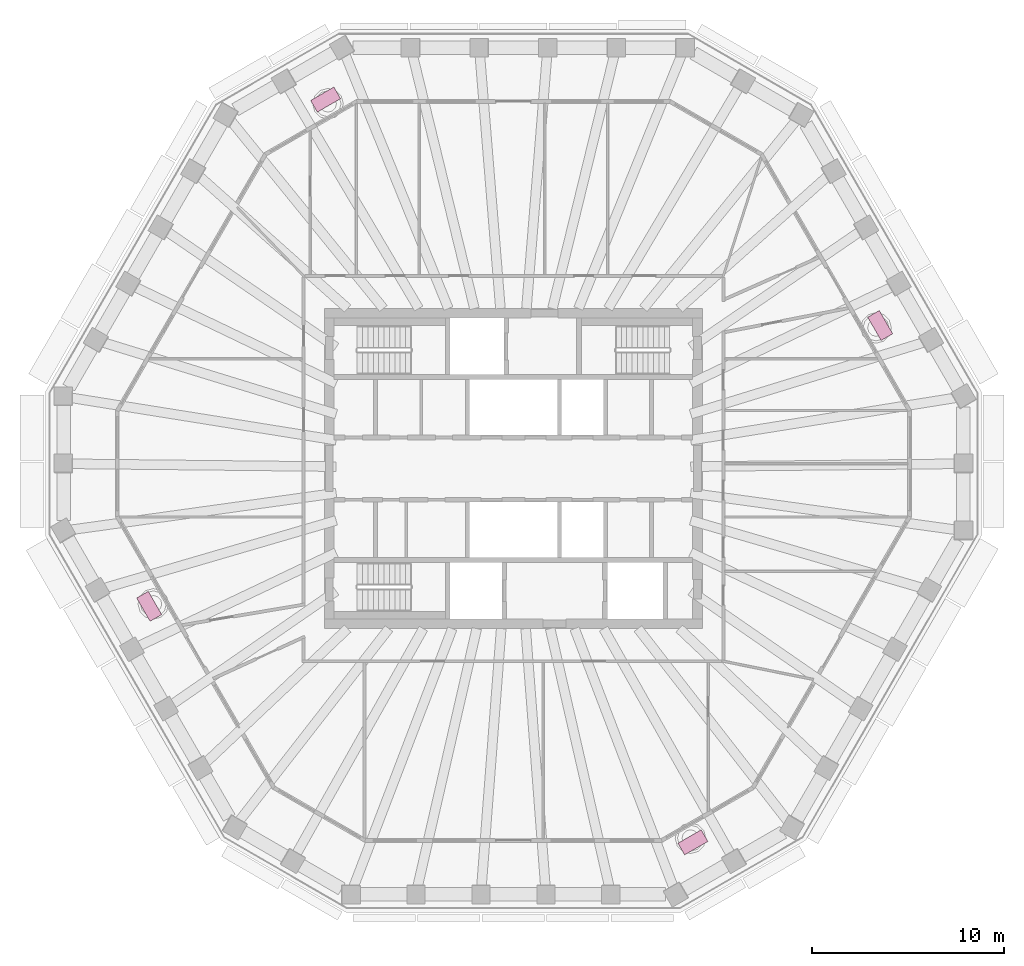
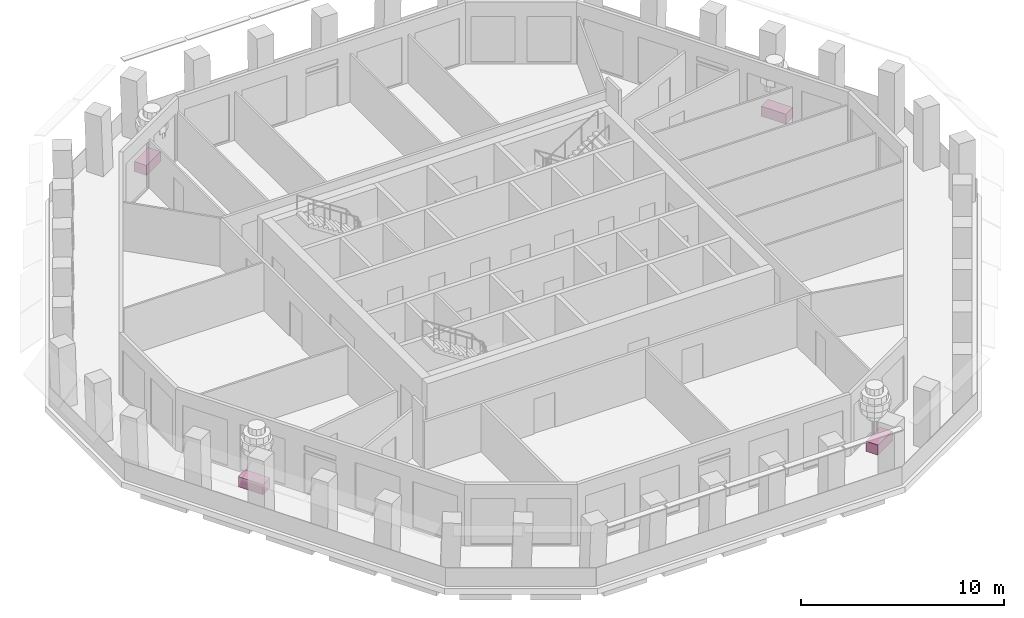
# One storey, part 11 of 12: 4 furniture elements.
"""IFC4 building model written with IfcOpenShell, lengths in metres."""

from ifc_helpers import new_model, si_unit, direction, frame, origin, origin_2d, place, context, subcontext, project, spatial, rectangle, extrude, material, type_object, element, save


model = new_model("IFC4")

# Units and contexts
model_context = context("Model", 3, precision=1e-05, world=origin(), true_north=direction((0.0, 1.0)))
body_context = subcontext(model_context, "Body", "Model", "MODEL_VIEW")
ifc_project = project(units=[si_unit("LENGTHUNIT", "METRE"), si_unit("AREAUNIT", "SQUARE_METRE"), si_unit("VOLUMEUNIT", "CUBIC_METRE"), si_unit("PLANEANGLEUNIT", "RADIAN"), si_unit("MASSUNIT", "GRAM", prefix="KILO")], contexts=[model_context])

# Site, building, storey
site_placement = place(None, origin())
site = spatial("IfcSite", under=ifc_project, at=site_placement, CompositionType="ELEMENT")
building_placement = place(site_placement, origin())
building = spatial("IfcBuilding", under=site, at=building_placement, Name="Frailejon Research Tower", CompositionType="ELEMENT")
storey_placement = place(building_placement, frame((0.0, 0.0, 271.0)))
storey = spatial("IfcBuildingStorey", under=building, at=storey_placement, Name="L59", CompositionType="ELEMENT", Elevation=271.0)

# Furniture
ifc_material = material(Name="Precast concrete C30/37 planter, terracotta", Category="masonry")
furniture_type = type_object("IfcFurnitureType", Name="Loggia planter 1400x700", AssemblyPlace="NOTDEFINED", PredefinedType="USERDEFINED", material=ifc_material)
for number, where, z_axis, x_axis, name in (
    (1, (19.133544921875, 7.46240234375, 0.0), (0.0, 0.0, 1.0), (-0.5, 0.866025403784, 0.0), "Planter L59"),
    (2, (-9.799072265625, 19.248291015625, 0.0), (0.0, 0.0, 1.0), (-0.866025403784, -0.5, 0.0), "Planter L59"),
    (3, (-19.0029296875, -7.185791015625, 0.0), (0.0, 0.0, 1.0), (0.5, -0.866025403784, 0.0), "Planter L59"),
    (4, (9.363525390625, -19.49951171875, 0.0), (0.0, 0.0, 1.0), (0.866025403784, 0.5, 0.0), "Planter L59"),
):
    element("IfcFurniture", number, at=place(storey_placement, frame(where, z_axis=z_axis, x_axis=x_axis)), inside=storey, type_object=furniture_type, Name=name, ObjectType="PLANTER", PredefinedType="USERDEFINED", context=body_context, shape_type="SweptSolid", body=[
        extrude(rectangle(XDim=1.39990234375, YDim=0.699951171875, at=origin_2d()), origin(), (0.0, 0.0, 1.0), 0.60009765625),
    ])

save(model, "model.ifc")
